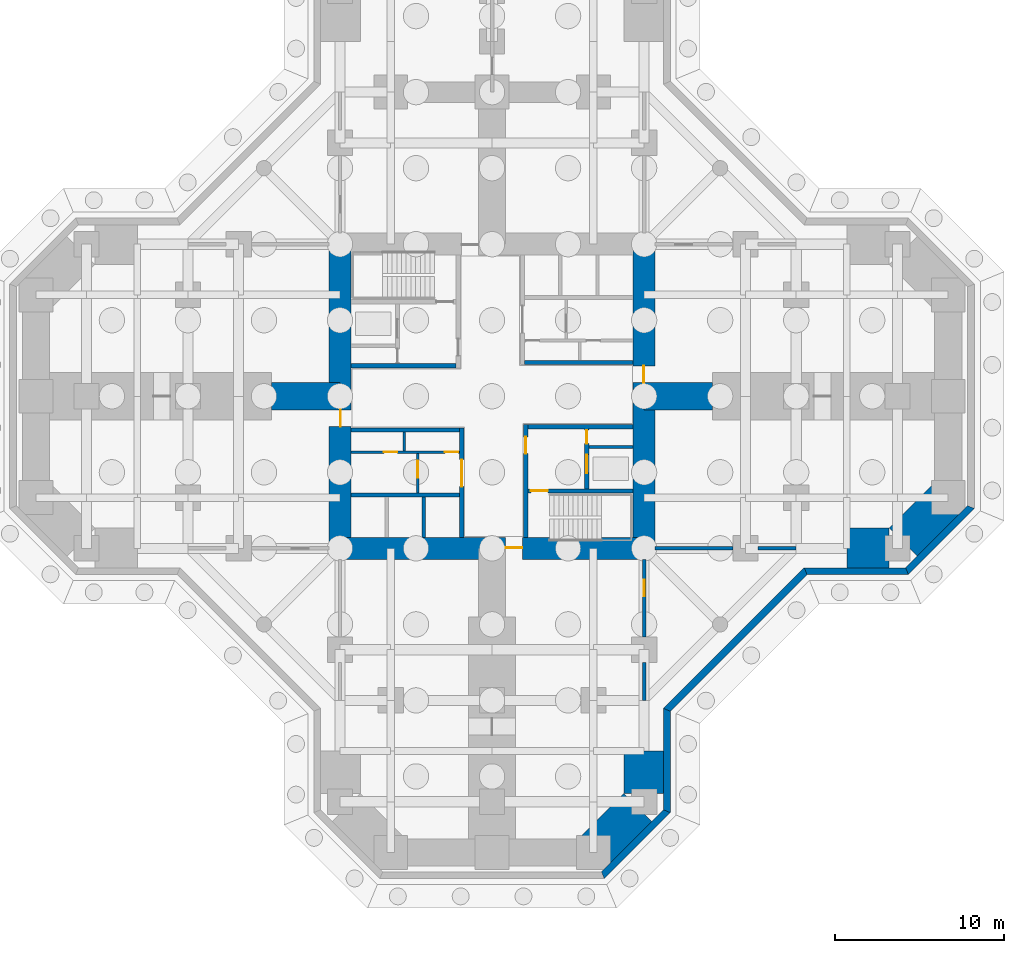
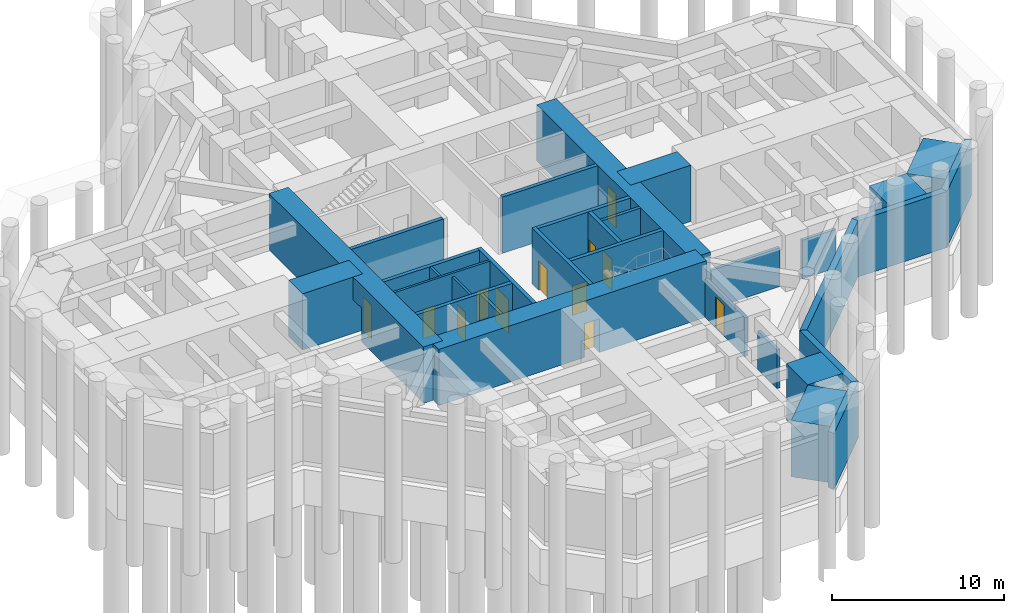
# One storey, part 4 of 8: 32 walls, 12 doors, 12 openings.
"""IFC4 building model written with IfcOpenShell, lengths in metres."""

from ifc_helpers import new_model, si_unit, direction, frame, frame_2d, origin, place, context, subcontext, project, spatial, polyline, rectangle, outline, extrude, material, layer, layer_set, constituent, constituent_set, type_object, element, fill, save


model = new_model("IFC4")

# Units and contexts
model_context = context("Model", 3, precision=1e-05, world=origin(), true_north=direction((0.0, 1.0)))
body_context = subcontext(model_context, "Body", "Model", "MODEL_VIEW")
ifc_project = project(units=[si_unit("LENGTHUNIT", "METRE"), si_unit("AREAUNIT", "SQUARE_METRE"), si_unit("VOLUMEUNIT", "CUBIC_METRE"), si_unit("PLANEANGLEUNIT", "RADIAN"), si_unit("MASSUNIT", "GRAM", prefix="KILO")], contexts=[model_context])

# Site, building, storey
site_placement = place(None, origin())
site = spatial("IfcSite", under=ifc_project, at=site_placement, CompositionType="ELEMENT")
building_placement = place(site_placement, origin())
building = spatial("IfcBuilding", under=site, at=building_placement, Name="Torre Cruceta", CompositionType="ELEMENT")
storey_placement = place(building_placement, frame((0.0, 0.0, -8.0)))
storey = spatial("IfcBuildingStorey", under=building, at=storey_placement, Name="B02", CompositionType="ELEMENT", Elevation=-8.0)

# Walls
ifc_material_1 = material(Name="Concrete G60 (fck 60 MPa)", Category="concrete")
ifc_layer_1 = layer(ifc_material_1, 2.39990234375)
ifc_layer_set_1 = layer_set([ifc_layer_1], Name="Concrete G60 (fck 60 MPa)")
wall_type_1 = type_object("IfcWallType", Name="BASEMENT ARM WALL 2400 G60", PredefinedType="SHEAR", material=ifc_layer_set_1)
wall_1_placement = place(storey_placement, frame((21.0, -9.0, 0.0), z_axis=(0.0, 0.0, 1.0), x_axis=(1.0, 0.0, 0.0)))
element("IfcWall", 1, at=wall_1_placement, inside=storey, type_object=wall_type_1, Name="BW1 basement arm wall B02 E R1", PredefinedType="SHEAR", context=body_context, shape_type="SweptSolid", body=[
    extrude(rectangle(XDim=2.5029296875, YDim=2.39990234375, at=frame_2d((1.25146484375, 0.0))), origin(), (0.0, 0.0, 1.0), 4.0),
])
wall_2_placement = place(storey_placement, frame((24.3515625, -8.6484375, 0.0), z_axis=(0.0, 0.0, 1.0), x_axis=(0.707106781187, 0.707106781187, 0.0)))
element("IfcWall", 2, at=wall_2_placement, inside=storey, type_object=wall_type_1, Name="BW1 basement arm wall B02 E R2", PredefinedType="SHEAR", context=body_context, shape_type="SweptSolid", body=[
    extrude(rectangle(XDim=3.745361328125, YDim=2.39990234375, at=frame_2d((1.87255859375, 0.0))), origin(), (0.0, 0.0, 1.0), 4.0),
])
wall_3_placement = place(storey_placement, frame((9.0, -21.0, 0.0), z_axis=(0.0, 0.0, 1.0), x_axis=(0.0, -1.0, 0.0)))
element("IfcWall", 3, at=wall_3_placement, inside=storey, type_object=wall_type_1, Name="BW1 basement arm wall B02 S L1", PredefinedType="SHEAR", context=body_context, shape_type="SweptSolid", body=[
    extrude(rectangle(XDim=2.5029296875, YDim=2.39990234375, at=frame_2d((1.25146484375, 0.0))), origin(), (0.0, 0.0, 1.0), 4.0),
])
wall_4_placement = place(storey_placement, frame((8.6484375, -24.3515625, 0.0), z_axis=(0.0, 0.0, 1.0), x_axis=(-0.707106781187, -0.707106781187, 0.0)))
element("IfcWall", 4, at=wall_4_placement, inside=storey, type_object=wall_type_1, Name="BW1 basement arm wall B02 S L2", PredefinedType="SHEAR", context=body_context, shape_type="SweptSolid", body=[
    extrude(rectangle(XDim=3.745361328125, YDim=2.39990234375, at=frame_2d((1.87255859375, 0.0))), origin(), (0.0, 0.0, 1.0), 4.0),
])
ifc_material_2 = material(Name="Concrete G45 (fck 45 MPa)", Category="concrete")
ifc_layer_2 = layer(ifc_material_2, 0.39990234375)
ifc_layer_set_2 = layer_set([ifc_layer_2], Name="Concrete G45 (fck 45 MPa)")
wall_type_2 = type_object("IfcWallType", Name="BASEMENT RETAINING WALL 400", PredefinedType="SOLIDWALL", material=ifc_layer_set_2)
wall_5_placement = place(storey_placement, origin())
element("IfcWall", 5, at=wall_5_placement, inside=storey, type_object=wall_type_2, Name="Retaining wall RW1 B02-01", PredefinedType="SOLIDWALL", context=body_context, shape_type="SweptSolid", body=[
    extrude(outline(polyline([(18.476318359375, -10.14990234375), (18.64208984375, -10.550048828125), (10.550048828125, -18.64208984375), (10.14990234375, -18.476318359375), (18.476318359375, -10.14990234375)])), origin(), (0.0, 0.0, 1.0), 4.0),
])
wall_6_placement = place(storey_placement, origin())
element("IfcWall", 6, at=wall_6_placement, inside=storey, type_object=wall_type_2, Name="Retaining wall RW1 B02-02", PredefinedType="SOLIDWALL", context=body_context, shape_type="SweptSolid", body=[
    extrude(outline(polyline([(10.14990234375, -18.476318359375), (10.550048828125, -18.64208984375), (10.550048828125, -24.64208984375), (10.14990234375, -24.476318359375), (10.14990234375, -18.476318359375)])), origin(), (0.0, 0.0, 1.0), 4.0),
])
wall_7_placement = place(storey_placement, origin())
element("IfcWall", 7, at=wall_7_placement, inside=storey, type_object=wall_type_2, Name="Retaining wall RW1 B02-03", PredefinedType="SOLIDWALL", context=body_context, shape_type="SweptSolid", body=[
    extrude(outline(polyline([(10.14990234375, -24.476318359375), (10.550048828125, -24.64208984375), (6.64208984375, -28.550048828125), (6.476318359375, -28.14990234375), (10.14990234375, -24.476318359375)])), origin(), (0.0, 0.0, 1.0), 4.0),
])
wall_8_placement = place(storey_placement, origin())
element("IfcWall", 8, at=wall_8_placement, inside=storey, type_object=wall_type_2, Name="Retaining wall RW1 B02-23", PredefinedType="SOLIDWALL", context=body_context, shape_type="SweptSolid", body=[
    extrude(outline(polyline([(28.14990234375, -6.476318359375), (28.550048828125, -6.64208984375), (24.64208984375, -10.550048828125), (24.476318359375, -10.14990234375), (28.14990234375, -6.476318359375)])), origin(), (0.0, 0.0, 1.0), 4.0),
])
wall_9_placement = place(storey_placement, origin())
element("IfcWall", 9, at=wall_9_placement, inside=storey, type_object=wall_type_2, Name="Retaining wall RW1 B02-24", PredefinedType="SOLIDWALL", context=body_context, shape_type="SweptSolid", body=[
    extrude(outline(polyline([(24.476318359375, -10.14990234375), (24.64208984375, -10.550048828125), (18.64208984375, -10.550048828125), (18.476318359375, -10.14990234375), (24.476318359375, -10.14990234375)])), origin(), (0.0, 0.0, 1.0), 4.0),
])
ifc_material_3 = material(Name="Concrete G60 (fck 60 MPa)", Category="concrete")
ifc_layer_3 = layer(ifc_material_3, 0.25)
ifc_layer_set_3 = layer_set([ifc_layer_3], Name="Concrete G60 (fck 60 MPa)")
wall_type_3 = type_object("IfcWallType", Name="CORE INNER WALL 250 G60", PredefinedType="SHEAR", material=ifc_layer_set_3)
wall_10_placement = place(storey_placement, frame((1.925048828125, 2.0, 0.0), z_axis=(0.0, 0.0, 1.0), x_axis=(1.0, 0.0, 0.0)))
element("IfcWall", 10, at=wall_10_placement, inside=storey, type_object=wall_type_3, Name="CW4 B02 NE-CV", PredefinedType="SHEAR", context=body_context, shape_type="SweptSolid", body=[
    extrude(rectangle(XDim=6.425048828125, YDim=0.25, at=frame_2d((3.21240234375, 0.0))), origin(), (0.0, 0.0, 1.0), 4.0),
])
wall_11_placement = place(storey_placement, frame((-2.125, 1.800048828125, 0.0), z_axis=(0.0, 0.0, 1.0), x_axis=(-1.0, 0.0, 0.0)))
element("IfcWall", 11, at=wall_11_placement, inside=storey, type_object=wall_type_3, Name="CW4 B02 NW-CV", PredefinedType="SHEAR", context=body_context, shape_type="SweptSolid", body=[
    extrude(rectangle(XDim=6.22509765625, YDim=0.25, at=frame_2d((3.112548828125, 0.0))), origin(), (0.0, 0.0, 1.0), 4.0),
])

# Wall, opening, door
wall_12_placement = place(storey_placement, frame((-1.800048828125, -1.875, 0.0), z_axis=(0.0, 0.0, 1.0), x_axis=(0.0, -1.0, 0.0)))
wall_12 = element("IfcWall", 12, at=wall_12_placement, inside=storey, type_object=wall_type_3, Name="CW4 B02 SW-CU", PredefinedType="SHEAR", context=body_context, shape_type="SweptSolid", body=[
    extrude(rectangle(XDim=6.47509765625, YDim=0.25, at=frame_2d((3.237548828125, 0.0))), origin(), (0.0, 0.0, 1.0), 4.0),
])
opening_1_placement = place(wall_12_placement, frame((1.875, 0.0, 0.0)))
opening_1 = element("IfcOpeningElement", 13, at=opening_1_placement, cuts=wall_12, Name="Opening D15", PredefinedType="OPENING", context=body_context, shape_type="SweptSolid", body=[
    extrude(rectangle(XDim=1.60009765625, YDim=2.39990234375, at=frame_2d((0.800048828125, 1.199951171875))), frame((0.0, 0.135009765625, 0.0), z_axis=(0.0, -1.0, 0.0), x_axis=(1.0, 0.0, 0.0)), (0.0, 0.0, 1.0), 0.27001953125),
])
ifc_material_4 = material(Name="Steel DX51D", Category="steel")
ifc_constituent_1 = constituent(ifc_material_4, Name="Leaf and frame")
ifc_material_5 = material(Name="Polyester powder coating", Category="paint")
ifc_constituent_2 = constituent(ifc_material_5, Name="Finish")
ifc_constituent_set_1 = constituent_set(constituents=[ifc_constituent_1, ifc_constituent_2], Name="Steel fire door")
door_type_1 = type_object("IfcDoorType", Name="CORE ROOM DOUBLE DOOR 1600X2400", OperationType="DOUBLE_DOOR_SINGLE_SWING", PredefinedType="DOOR", material=ifc_constituent_set_1)
door_1_placement = place(opening_1_placement, frame((1.60009765625, 0.0, 0.0), z_axis=(0.0, 0.0, 1.0), x_axis=(-1.0, 0.0, 0.0)))
door_1 = element("IfcDoor", 14, at=door_1_placement, inside=storey, type_object=door_type_1, Name="D15 B02 SW-LOBBY", OperationType="DOUBLE_DOOR_SINGLE_SWING", OverallHeight=2.39990234375, OverallWidth=1.60009765625, PredefinedType="DOOR", context=body_context, shape_type="SweptSolid", body=[
    extrude(rectangle(XDim=1.60009765625, YDim=2.39990234375, at=frame_2d((0.800048828125, 1.199951171875))), frame((0.0, 0.025146484375, 0.0), z_axis=(0.0, -1.0, 0.0), x_axis=(1.0, 0.0, 0.0)), (0.0, 0.0, 1.0), 0.050048828125),
])
fill(opening_1, door_1)

# Walls
for number, where, z_axis, x_axis, name in (
    (15, (-1.925048828125, -2.0, 0.0), (0.0, 0.0, 1.0), (-1.0, 0.0, 0.0), "CW4 B02 SW-CV"),
    (16, (-1.925048828125, -5.85009765625, 0.0), (0.0, 0.0, 1.0), (-1.0, 0.0, 0.0), "CW4 B02 SW-LV"),
):
    element("IfcWall", number, at=place(storey_placement, frame(where, z_axis=z_axis, x_axis=x_axis)), inside=storey, type_object=wall_type_3, Name=name, PredefinedType="SHEAR", context=body_context, shape_type="SweptSolid", body=[
        extrude(rectangle(XDim=6.425048828125, YDim=0.25, at=frame_2d((3.21240234375, 0.0))), origin(), (0.0, 0.0, 1.0), 4.0),
    ])

# Wall, opening, door
wall_13_placement = place(storey_placement, frame((2.0, -1.675048828125, 0.0), z_axis=(0.0, 0.0, 1.0), x_axis=(0.0, -1.0, 0.0)))
wall_13 = element("IfcWall", 17, at=wall_13_placement, inside=storey, type_object=wall_type_3, Name="CW4 B02 SE-CU", PredefinedType="SHEAR", context=body_context, shape_type="SweptSolid", body=[
    extrude(rectangle(XDim=6.675048828125, YDim=0.25, at=frame_2d((3.33740234375, 0.0))), origin(), (0.0, 0.0, 1.0), 4.0),
])
opening_2_placement = place(wall_13_placement, frame((0.72509765625, 0.0, 0.0)))
opening_2 = element("IfcOpeningElement", 18, at=opening_2_placement, cuts=wall_13, Name="Opening D3", PredefinedType="OPENING", context=body_context, shape_type="SweptSolid", body=[
    extrude(rectangle(XDim=1.0, YDim=2.10009765625, at=frame_2d((0.5, 1.050048828125))), frame((0.0, 0.135009765625, 0.0), z_axis=(0.0, -1.0, 0.0), x_axis=(1.0, 0.0, 0.0)), (0.0, 0.0, 1.0), 0.27001953125),
])
ifc_material_6 = material(Name="Steel DX51D", Category="steel")
ifc_constituent_3 = constituent(ifc_material_6, Name="Leaf and frame")
ifc_material_7 = material(Name="Polyester powder coating", Category="paint")
ifc_constituent_4 = constituent(ifc_material_7, Name="Finish")
ifc_constituent_set_2 = constituent_set(constituents=[ifc_constituent_3, ifc_constituent_4], Name="Steel fire door")
door_type_2 = type_object("IfcDoorType", Name="FIRE DOOR 1000X2100", OperationType="SINGLE_SWING_LEFT", PredefinedType="DOOR", material=ifc_constituent_set_2)
door_2_placement = place(opening_2_placement, origin())
door_2 = element("IfcDoor", 19, at=door_2_placement, inside=storey, type_object=door_type_2, Name="D3 B02 SE-LOBBY", OperationType="SINGLE_SWING_LEFT", OverallHeight=2.10009765625, OverallWidth=1.0, PredefinedType="DOOR", context=body_context, shape_type="SweptSolid", body=[
    extrude(rectangle(XDim=1.0, YDim=2.10009765625, at=frame_2d((0.5, 1.050048828125))), frame((0.0, 0.02490234375, 0.0), z_axis=(0.0, -1.0, 0.0), x_axis=(1.0, 0.0, 0.0)), (0.0, 0.0, 1.0), 0.050048828125),
])
fill(opening_2, door_2)

# Wall
wall_14_placement = place(storey_placement, frame((2.125, -1.800048828125, 0.0), z_axis=(0.0, 0.0, 1.0), x_axis=(1.0, 0.0, 0.0)))
element("IfcWall", 20, at=wall_14_placement, inside=storey, type_object=wall_type_3, Name="CW4 B02 SE-CV", PredefinedType="SHEAR", context=body_context, shape_type="SweptSolid", body=[
    extrude(rectangle(XDim=6.22509765625, YDim=0.25, at=frame_2d((3.112548828125, 0.0))), origin(), (0.0, 0.0, 1.0), 4.0),
])

# Wall, opening, door
wall_15_placement = place(storey_placement, frame((2.125, -5.60009765625, 0.0), z_axis=(0.0, 0.0, 1.0), x_axis=(1.0, 0.0, 0.0)))
wall_15 = element("IfcWall", 21, at=wall_15_placement, inside=storey, type_object=wall_type_3, Name="CW4 B02 SE-SV", PredefinedType="SHEAR", context=body_context, shape_type="SweptSolid", body=[
    extrude(rectangle(XDim=6.22509765625, YDim=0.25, at=frame_2d((3.112548828125, 0.0))), origin(), (0.0, 0.0, 1.0), 4.0),
])
opening_3_placement = place(wall_15_placement, frame((0.175048828125, 0.0, 0.0)))
opening_3 = element("IfcOpeningElement", 22, at=opening_3_placement, cuts=wall_15, Name="Opening D3", PredefinedType="OPENING", context=body_context, shape_type="SweptSolid", body=[
    extrude(rectangle(XDim=1.0, YDim=2.10009765625, at=frame_2d((0.5, 1.050048828125))), frame((0.0, 0.135009765625, 0.0), z_axis=(0.0, -1.0, 0.0), x_axis=(1.0, 0.0, 0.0)), (0.0, 0.0, 1.0), 0.27001953125),
])
door_3_placement = place(opening_3_placement, frame((1.0, 0.0, 0.0), z_axis=(0.0, 0.0, 1.0), x_axis=(-1.0, 0.0, 0.0)))
door_3 = element("IfcDoor", 23, at=door_3_placement, inside=storey, type_object=door_type_2, Name="D3 B02 SE-STAIR", OperationType="SINGLE_SWING_RIGHT", OverallHeight=2.10009765625, OverallWidth=1.0, PredefinedType="DOOR", context=body_context, shape_type="SweptSolid", body=[
    extrude(rectangle(XDim=1.0, YDim=2.10009765625, at=frame_2d((0.5, 1.050048828125))), frame((0.0, 0.025146484375, 0.0), z_axis=(0.0, -1.0, 0.0), x_axis=(1.0, 0.0, 0.0)), (0.0, 0.0, 1.0), 0.050048828125),
])
fill(opening_3, door_3)

# Wall, openings, doors
wall_16_placement = place(storey_placement, frame((5.60009765625, -1.925048828125, 0.0), z_axis=(0.0, 0.0, 1.0), x_axis=(0.0, -1.0, 0.0)))
wall_16 = element("IfcWall", 24, at=wall_16_placement, inside=storey, type_object=wall_type_3, Name="CW4 B02 SE-FU", PredefinedType="SHEAR", context=body_context, shape_type="SweptSolid", body=[
    extrude(rectangle(XDim=3.550048828125, YDim=0.25, at=frame_2d((1.77490234375, 0.0))), origin(), (0.0, 0.0, 1.0), 4.0),
])
opening_4_placement = place(wall_16_placement, frame((1.52490234375, 0.0, 0.0)))
opening_4 = element("IfcOpeningElement", 25, at=opening_4_placement, cuts=wall_16, Name="Opening LD1", PredefinedType="OPENING", context=body_context, shape_type="SweptSolid", body=[
    extrude(rectangle(XDim=1.10009765625, YDim=2.199951171875, at=frame_2d((0.550048828125, 1.10009765625))), frame((0.0, 0.135009765625, 0.0), z_axis=(0.0, -1.0, 0.0), x_axis=(1.0, 0.0, 0.0)), (0.0, 0.0, 1.0), 0.27001953125),
])
opening_5_placement = place(wall_16_placement, frame((0.074951171875, 0.0, 0.0)))
opening_5 = element("IfcOpeningElement", 26, at=opening_5_placement, cuts=wall_16, Name="Opening D5", PredefinedType="OPENING", context=body_context, shape_type="SweptSolid", body=[
    extrude(rectangle(XDim=0.800048828125, YDim=2.10009765625, at=frame_2d((0.39990234375, 1.050048828125))), frame((0.0, 0.135009765625, 0.0), z_axis=(0.0, -1.0, 0.0), x_axis=(1.0, 0.0, 0.0)), (0.0, 0.0, 1.0), 0.27001953125),
])
ifc_material_8 = material(Name="Stainless steel 1.4401", Category="steel")
door_type_3 = type_object("IfcDoorType", Name="LIFT LANDING DOOR 1100X2200", OperationType="DOUBLE_DOOR_SLIDING", PredefinedType="DOOR", material=ifc_material_8)
door_4_placement = place(opening_4_placement, origin())
door_4 = element("IfcDoor", 27, at=door_4_placement, inside=storey, type_object=door_type_3, Name="Lift landing door FL2", OperationType="DOUBLE_DOOR_SLIDING", OverallHeight=2.199951171875, OverallWidth=1.10009765625, PredefinedType="DOOR", context=body_context, shape_type="SweptSolid", body=[
    extrude(rectangle(XDim=1.10009765625, YDim=2.199951171875, at=frame_2d((0.550048828125, 1.10009765625))), frame((0.0, 0.02490234375, 0.0), z_axis=(0.0, -1.0, 0.0), x_axis=(1.0, 0.0, 0.0)), (0.0, 0.0, 1.0), 0.050048828125),
])
fill(opening_4, door_4)
ifc_material_9 = material(Name="Steel DX51D", Category="steel")
ifc_constituent_5 = constituent(ifc_material_9, Name="Leaf and frame")
ifc_material_10 = material(Name="Polyester powder coating", Category="paint")
ifc_constituent_6 = constituent(ifc_material_10, Name="Finish")
ifc_constituent_set_3 = constituent_set(constituents=[ifc_constituent_5, ifc_constituent_6], Name="Steel fire door")
door_type_4 = type_object("IfcDoorType", Name="RISER ACCESS DOOR 800X2100", OperationType="SINGLE_SWING_LEFT", PredefinedType="DOOR", material=ifc_constituent_set_3)
door_5_placement = place(opening_5_placement, origin())
door_5 = element("IfcDoor", 28, at=door_5_placement, inside=storey, type_object=door_type_4, Name="D5 B02 SE-RISER", OperationType="SINGLE_SWING_LEFT", OverallHeight=2.10009765625, OverallWidth=0.800048828125, PredefinedType="DOOR", context=body_context, shape_type="SweptSolid", body=[
    extrude(rectangle(XDim=0.800048828125, YDim=2.10009765625, at=frame_2d((0.39990234375, 1.050048828125))), frame((0.0, 0.02490234375, 0.0), z_axis=(0.0, -1.0, 0.0), x_axis=(1.0, 0.0, 0.0)), (0.0, 0.0, 1.0), 0.050048828125),
])
fill(opening_5, door_5)

# Wall, opening, door
ifc_material_11 = material(Name="Concrete G60 (fck 60 MPa)", Category="concrete")
ifc_layer_4 = layer(ifc_material_11, 1.300048828125)
ifc_layer_set_4 = layer_set([ifc_layer_4], Name="Concrete G60 (fck 60 MPa)")
wall_type_4 = type_object("IfcWallType", Name="CORE WALL 1300 G60", PredefinedType="SHEAR", material=ifc_layer_set_4)
wall_17_placement = place(storey_placement, frame((-9.0, -9.0, 0.0), z_axis=(0.0, 0.0, 1.0), x_axis=(1.0, 0.0, 0.0)))
wall_17 = element("IfcWall", 29, at=wall_17_placement, inside=storey, type_object=wall_type_4, Name="CW1 B02 CW-S", PredefinedType="SHEAR", context=body_context, shape_type="SweptSolid", body=[
    extrude(rectangle(XDim=18.0, YDim=1.300048828125, at=frame_2d((9.0, 0.0))), origin(), (0.0, 0.0, 1.0), 4.0),
])
opening_6_placement = place(wall_17_placement, frame((9.800048828125, 0.0, 0.0)))
opening_6 = element("IfcOpeningElement", 30, at=opening_6_placement, cuts=wall_17, Name="Opening D4", PredefinedType="OPENING", context=body_context, shape_type="SweptSolid", body=[
    extrude(rectangle(XDim=1.0, YDim=2.39990234375, at=frame_2d((0.5, 1.199951171875))), frame((0.0, 0.659912109375, 0.0), z_axis=(0.0, -1.0, 0.0), x_axis=(1.0, 0.0, 0.0)), (0.0, 0.0, 1.0), 1.320068359375),
])
ifc_material_12 = material(Name="Steel DX51D", Category="steel")
ifc_constituent_7 = constituent(ifc_material_12, Name="Leaf and frame")
ifc_material_13 = material(Name="Polyester powder coating", Category="paint")
ifc_constituent_8 = constituent(ifc_material_13, Name="Finish")
ifc_constituent_set_4 = constituent_set(constituents=[ifc_constituent_7, ifc_constituent_8], Name="Steel fire door")
door_type_5 = type_object("IfcDoorType", Name="CORE ARM DOOR 1000X2400", OperationType="SINGLE_SWING_RIGHT", PredefinedType="DOOR", material=ifc_constituent_set_4)
door_6_placement = place(opening_6_placement, frame((1.0, 0.0, 0.0), z_axis=(0.0, 0.0, 1.0), x_axis=(-1.0, 0.0, 0.0)))
door_6 = element("IfcDoor", 31, at=door_6_placement, inside=storey, type_object=door_type_5, Name="D4 B02 CW-S", OperationType="SINGLE_SWING_RIGHT", OverallHeight=2.39990234375, OverallWidth=1.0, PredefinedType="DOOR", context=body_context, shape_type="SweptSolid", body=[
    extrude(rectangle(XDim=1.0, YDim=2.39990234375, at=frame_2d((0.5, 1.199951171875))), frame((0.0, -0.005126953125, 0.0), z_axis=(0.0, -1.0, 0.0), x_axis=(1.0, 0.0, 0.0)), (0.0, 0.0, 1.0), 0.050048828125),
])
fill(opening_6, door_6)

wall_18_placement = place(storey_placement, frame((9.0, -9.0, 0.0), z_axis=(0.0, 0.0, 1.0), x_axis=(0.0, 1.0, 0.0)))
wall_18 = element("IfcWall", 32, at=wall_18_placement, inside=storey, type_object=wall_type_4, Name="CW1 B02 CW-E", PredefinedType="SHEAR", context=body_context, shape_type="SweptSolid", body=[
    extrude(rectangle(XDim=18.0, YDim=1.300048828125, at=frame_2d((9.0, 0.0))), origin(), (0.0, 0.0, 1.0), 4.0),
])
opening_7_placement = place(wall_18_placement, frame((9.800048828125, 0.0, 0.0)))
opening_7 = element("IfcOpeningElement", 33, at=opening_7_placement, cuts=wall_18, Name="Opening D4", PredefinedType="OPENING", context=body_context, shape_type="SweptSolid", body=[
    extrude(rectangle(XDim=1.0, YDim=2.39990234375, at=frame_2d((0.5, 1.199951171875))), frame((0.0, 0.659912109375, 0.0), z_axis=(0.0, -1.0, 0.0), x_axis=(1.0, 0.0, 0.0)), (0.0, 0.0, 1.0), 1.320068359375),
])
door_7_placement = place(opening_7_placement, frame((1.0, 0.0, 0.0), z_axis=(0.0, 0.0, 1.0), x_axis=(-1.0, 0.0, 0.0)))
door_7 = element("IfcDoor", 34, at=door_7_placement, inside=storey, type_object=door_type_5, Name="D4 B02 CW-E", OperationType="SINGLE_SWING_RIGHT", OverallHeight=2.39990234375, OverallWidth=1.0, PredefinedType="DOOR", context=body_context, shape_type="SweptSolid", body=[
    extrude(rectangle(XDim=1.0, YDim=2.39990234375, at=frame_2d((0.5, 1.199951171875))), frame((0.0, -0.005126953125, 0.0), z_axis=(0.0, -1.0, 0.0), x_axis=(1.0, 0.0, 0.0)), (0.0, 0.0, 1.0), 0.050048828125),
])
fill(opening_7, door_7)

wall_19_placement = place(storey_placement, frame((-9.0, 9.0, 0.0), z_axis=(0.0, 0.0, 1.0), x_axis=(0.0, -1.0, 0.0)))
wall_19 = element("IfcWall", 35, at=wall_19_placement, inside=storey, type_object=wall_type_4, Name="CW1 B02 CW-W", PredefinedType="SHEAR", context=body_context, shape_type="SweptSolid", body=[
    extrude(rectangle(XDim=18.0, YDim=1.300048828125, at=frame_2d((9.0, 0.0))), origin(), (0.0, 0.0, 1.0), 4.0),
])
opening_8_placement = place(wall_19_placement, frame((9.800048828125, 0.0, 0.0)))
opening_8 = element("IfcOpeningElement", 36, at=opening_8_placement, cuts=wall_19, Name="Opening D4", PredefinedType="OPENING", context=body_context, shape_type="SweptSolid", body=[
    extrude(rectangle(XDim=1.0, YDim=2.39990234375, at=frame_2d((0.5, 1.199951171875))), frame((0.0, 0.659912109375, 0.0), z_axis=(0.0, -1.0, 0.0), x_axis=(1.0, 0.0, 0.0)), (0.0, 0.0, 1.0), 1.320068359375),
])
door_8_placement = place(opening_8_placement, frame((1.0, 0.0, 0.0), z_axis=(0.0, 0.0, 1.0), x_axis=(-1.0, 0.0, 0.0)))
door_8 = element("IfcDoor", 37, at=door_8_placement, inside=storey, type_object=door_type_5, Name="D4 B02 CW-W", OperationType="SINGLE_SWING_RIGHT", OverallHeight=2.39990234375, OverallWidth=1.0, PredefinedType="DOOR", context=body_context, shape_type="SweptSolid", body=[
    extrude(rectangle(XDim=1.0, YDim=2.39990234375, at=frame_2d((0.5, 1.199951171875))), frame((0.0, -0.005126953125, 0.0), z_axis=(0.0, -1.0, 0.0), x_axis=(1.0, 0.0, 0.0)), (0.0, 0.0, 1.0), 0.050048828125),
])
fill(opening_8, door_8)

# Walls
ifc_material_14 = material(Name="Concrete G35 (fck 35 MPa)", Category="concrete")
ifc_layer_5 = layer(ifc_material_14, 0.199951171875)
ifc_layer_set_5 = layer_set([ifc_layer_5], Name="Concrete G35 (fck 35 MPa)")
wall_type_5 = type_object("IfcWallType", Name="LIFT SHAFT WALL 200", PredefinedType="PARTITIONING", material=ifc_layer_set_5)
wall_20_placement = place(storey_placement, frame((-4.033447265625, -5.97509765625, 0.0), z_axis=(0.0, 0.0, 1.0), x_axis=(0.0, -1.0, 0.0)))
element("IfcWall", 38, at=wall_20_placement, inside=storey, type_object=wall_type_5, Name="SW1 B02 SW-LS1", PredefinedType="PARTITIONING", context=body_context, shape_type="SweptSolid", body=[
    extrude(rectangle(XDim=2.375, YDim=0.199951171875, at=frame_2d((1.1875, 0.0))), origin(), (0.0, 0.0, 1.0), 4.0),
])
wall_21_placement = place(storey_placement, frame((5.72509765625, -3.0, 0.0), z_axis=(0.0, 0.0, 1.0), x_axis=(1.0, 0.0, 0.0)))
element("IfcWall", 39, at=wall_21_placement, inside=storey, type_object=wall_type_5, Name="SW1 B02 SE-FR", PredefinedType="PARTITIONING", context=body_context, shape_type="SweptSolid", body=[
    extrude(rectangle(XDim=2.625, YDim=0.199951171875, at=frame_2d((1.3125, 0.0))), origin(), (0.0, 0.0, 1.0), 4.0),
])

# Wall, opening, door
ifc_material_15 = material(Name="Plasterboard on steel studs", Category="steel")
ifc_layer_6 = layer(ifc_material_15, 0.14990234375)
ifc_layer_set_6 = layer_set([ifc_layer_6], Name="Plasterboard on steel studs")
wall_type_6 = type_object("IfcWallType", Name="PARTITION 150", PredefinedType="PARTITIONING", material=ifc_layer_set_6)
wall_22_placement = place(storey_placement, frame((-4.39990234375, -3.375, 0.0), z_axis=(0.0, 0.0, 1.0), x_axis=(0.0, -1.0, 0.0)))
wall_22 = element("IfcWall", 40, at=wall_22_placement, inside=storey, type_object=wall_type_6, Name="PT1 B02-CORE-SW-X", PredefinedType="PARTITIONING", context=body_context, shape_type="SweptSolid", body=[
    extrude(rectangle(XDim=2.35009765625, YDim=0.14990234375, at=frame_2d((1.175048828125, 0.0))), origin(), (0.0, 0.0, 1.0), 3.75),
])
opening_9_placement = place(wall_22_placement, frame((0.449951171875, 0.0, 0.0)))
opening_9 = element("IfcOpeningElement", 41, at=opening_9_placement, cuts=wall_22, Name="Opening D3", PredefinedType="OPENING", context=body_context, shape_type="SweptSolid", body=[
    extrude(rectangle(XDim=1.0, YDim=2.10009765625, at=frame_2d((0.5, 1.050048828125))), frame((0.0, 0.0849609375, 0.0), z_axis=(0.0, -1.0, 0.0), x_axis=(1.0, 0.0, 0.0)), (0.0, 0.0, 1.0), 0.169921875),
])
door_9_placement = place(opening_9_placement, origin())
door_9 = element("IfcDoor", 42, at=door_9_placement, inside=storey, type_object=door_type_2, Name="D3 B02-CORE-SW-X-D1", OperationType="SINGLE_SWING_LEFT", OverallHeight=2.10009765625, OverallWidth=1.0, PredefinedType="DOOR", context=body_context, shape_type="SweptSolid", body=[
    extrude(rectangle(XDim=1.0, YDim=2.10009765625, at=frame_2d((0.5, 1.050048828125))), frame((0.0, 0.02490234375, 0.0), z_axis=(0.0, -1.0, 0.0), x_axis=(1.0, 0.0, 0.0)), (0.0, 0.0, 1.0), 0.050048828125),
])
fill(opening_9, door_9)

# Wall, openings, doors
ifc_material_16 = material(Name="Concrete block masonry", Category="masonry")
ifc_layer_7 = layer(ifc_material_16, 0.14990234375)
ifc_layer_set_7 = layer_set([ifc_layer_7], Name="Concrete block masonry")
wall_type_7 = type_object("IfcWallType", Name="RISER WALL 150", PredefinedType="PARTITIONING", material=ifc_layer_set_7)
wall_23_placement = place(storey_placement, frame((-1.925048828125, -3.300048828125, 0.0), z_axis=(0.0, 0.0, 1.0), x_axis=(-1.0, 0.0, 0.0)))
wall_23 = element("IfcWall", 43, at=wall_23_placement, inside=storey, type_object=wall_type_7, Name="SW7 B02 SW-RV", PredefinedType="PARTITIONING", context=body_context, shape_type="SweptSolid", body=[
    extrude(rectangle(XDim=6.425048828125, YDim=0.14990234375, at=frame_2d((3.21240234375, 0.0))), origin(), (0.0, 0.0, 1.0), 4.0),
])
opening_10_placement = place(wall_23_placement, frame((0.074951171875, 0.0, 0.0)))
opening_10 = element("IfcOpeningElement", 44, at=opening_10_placement, cuts=wall_23, Name="Opening D5", PredefinedType="OPENING", context=body_context, shape_type="SweptSolid", body=[
    extrude(rectangle(XDim=0.800048828125, YDim=2.10009765625, at=frame_2d((0.39990234375, 1.050048828125))), frame((0.0, 0.0849609375, 0.0), z_axis=(0.0, -1.0, 0.0), x_axis=(1.0, 0.0, 0.0)), (0.0, 0.0, 1.0), 0.169921875),
])
opening_11_placement = place(wall_23_placement, frame((3.675048828125, 0.0, 0.0)))
opening_11 = element("IfcOpeningElement", 45, at=opening_11_placement, cuts=wall_23, Name="Opening D5", PredefinedType="OPENING", context=body_context, shape_type="SweptSolid", body=[
    extrude(rectangle(XDim=0.800048828125, YDim=2.10009765625, at=frame_2d((0.39990234375, 1.050048828125))), frame((0.0, 0.0849609375, 0.0), z_axis=(0.0, -1.0, 0.0), x_axis=(1.0, 0.0, 0.0)), (0.0, 0.0, 1.0), 0.169921875),
])
door_10_placement = place(opening_10_placement, frame((0.800048828125, 0.0, 0.0), z_axis=(0.0, 0.0, 1.0), x_axis=(-1.0, 0.0, 0.0)))
door_10 = element("IfcDoor", 46, at=door_10_placement, inside=storey, type_object=door_type_4, Name="D5 B02 SW-RISER1", OperationType="SINGLE_SWING_RIGHT", OverallHeight=2.10009765625, OverallWidth=0.800048828125, PredefinedType="DOOR", context=body_context, shape_type="SweptSolid", body=[
    extrude(rectangle(XDim=0.800048828125, YDim=2.10009765625, at=frame_2d((0.400146484375, 1.050048828125))), frame((0.0, 0.025146484375, 0.0), z_axis=(0.0, -1.0, 0.0), x_axis=(1.0, 0.0, 0.0)), (0.0, 0.0, 1.0), 0.050048828125),
])
fill(opening_10, door_10)
door_11_placement = place(opening_11_placement, frame((0.800048828125, 0.0, 0.0), z_axis=(0.0, 0.0, 1.0), x_axis=(-1.0, 0.0, 0.0)))
door_11 = element("IfcDoor", 47, at=door_11_placement, inside=storey, type_object=door_type_4, Name="D5 B02 SW-RISER2", OperationType="SINGLE_SWING_RIGHT", OverallHeight=2.10009765625, OverallWidth=0.800048828125, PredefinedType="DOOR", context=body_context, shape_type="SweptSolid", body=[
    extrude(rectangle(XDim=0.800048828125, YDim=2.10009765625, at=frame_2d((0.400146484375, 1.050048828125))), frame((0.0, 0.025146484375, 0.0), z_axis=(0.0, -1.0, 0.0), x_axis=(1.0, 0.0, 0.0)), (0.0, 0.0, 1.0), 0.050048828125),
])
fill(opening_11, door_11)

# Walls
wall_24_placement = place(storey_placement, frame((-5.199951171875, -2.125, 0.0), z_axis=(0.0, 0.0, 1.0), x_axis=(0.0, -1.0, 0.0)))
element("IfcWall", 48, at=wall_24_placement, inside=storey, type_object=wall_type_7, Name="SW7 B02 SW-RU", PredefinedType="PARTITIONING", context=body_context, shape_type="SweptSolid", body=[
    extrude(rectangle(XDim=1.10009765625, YDim=0.14990234375, at=frame_2d((0.550048828125, 0.0))), origin(), (0.0, 0.0, 1.0), 4.0),
])
ifc_material_17 = material(Name="Concrete G60 (fck 60 MPa)", Category="concrete")
ifc_layer_8 = layer(ifc_material_17, 1.60009765625)
ifc_layer_set_8 = layer_set([ifc_layer_8], Name="Concrete G60 (fck 60 MPa)")
wall_type_8 = type_object("IfcWallType", Name="SPINE WALL 1600 G60", PredefinedType="SHEAR", material=ifc_layer_set_8)
for number, where, z_axis, x_axis, name in (
    (49, (9.0, 0.0, 0.0), (0.0, 0.0, 1.0), (1.0, 0.0, 0.0), "SW2 spine wall root B02 E"),
    (50, (-9.0, 0.0, 0.0), (0.0, 0.0, 1.0), (-1.0, 0.0, 0.0), "SW2 spine wall root B02 W"),
):
    element("IfcWall", number, at=place(storey_placement, frame(where, z_axis=z_axis, x_axis=x_axis)), inside=storey, type_object=wall_type_8, Name=name, PredefinedType="SHEAR", context=body_context, shape_type="SweptSolid", body=[
        extrude(rectangle(XDim=4.050048828125, YDim=1.60009765625, at=frame_2d((2.02490234375, 0.0))), origin(), (0.0, 0.0, 1.0), 4.0),
    ])

# Wall, opening, door
ifc_material_18 = material(Name="Concrete G25 (fck 25 MPa)", Category="concrete")
ifc_layer_9 = layer(ifc_material_18, 0.199951171875)
ifc_layer_set_9 = layer_set([ifc_layer_9], Name="Concrete G25 (fck 25 MPa)")
wall_type_9 = type_object("IfcWallType", Name="WING SEPARATING WALL 200", PredefinedType="SOLIDWALL", material=ifc_layer_set_9)
wall_25_placement = place(storey_placement, frame((9.0, -9.64990234375, 0.0), z_axis=(0.0, 0.0, 1.0), x_axis=(0.0, -1.0, 0.0)))
wall_25 = element("IfcWall", 51, at=wall_25_placement, inside=storey, type_object=wall_type_9, Name="PT6 B02-WING-S-A1", PredefinedType="SOLIDWALL", context=body_context, shape_type="SweptSolid", body=[
    extrude(rectangle(XDim=4.60009765625, YDim=0.199951171875, at=frame_2d((2.300048828125, 0.0))), origin(), (0.0, 0.0, 1.0), 2.75),
])
opening_12_placement = place(wall_25_placement, frame((1.199951171875, 0.0, 0.0)))
opening_12 = element("IfcOpeningElement", 52, at=opening_12_placement, cuts=wall_25, Name="Opening D14", PredefinedType="OPENING", context=body_context, shape_type="SweptSolid", body=[
    extrude(rectangle(XDim=1.0, YDim=2.199951171875, at=frame_2d((0.5, 1.10009765625))), frame((0.0, 0.10986328125, 0.0), z_axis=(0.0, -1.0, 0.0), x_axis=(1.0, 0.0, 0.0)), (0.0, 0.0, 1.0), 0.219970703125),
])
ifc_material_19 = material(Name="Steel DX51D", Category="steel")
ifc_constituent_9 = constituent(ifc_material_19, Name="Leaf and frame")
ifc_material_20 = material(Name="Polyester powder coating", Category="paint")
ifc_constituent_10 = constituent(ifc_material_20, Name="Finish")
ifc_material_21 = material(Name="Fire-resisting glass", Category="glass")
ifc_constituent_11 = constituent(ifc_material_21, Name="Vision panel")
ifc_constituent_set_5 = constituent_set(constituents=[ifc_constituent_9, ifc_constituent_10, ifc_constituent_11], Name="Steel fire door with vision panel")
door_type_6 = type_object("IfcDoorType", Name="FIRE DOOR VISION PANEL 1000X2200", OperationType="SINGLE_SWING_RIGHT", PredefinedType="DOOR", material=ifc_constituent_set_5)
door_12_placement = place(opening_12_placement, origin())
door_12 = element("IfcDoor", 53, at=door_12_placement, inside=storey, type_object=door_type_6, Name="D14 B02-WING-S-A1-D1", OperationType="SINGLE_SWING_LEFT", OverallHeight=2.199951171875, OverallWidth=1.0, PredefinedType="DOOR", context=body_context, shape_type="SweptSolid", body=[
    extrude(rectangle(XDim=1.0, YDim=2.199951171875, at=frame_2d((0.5, 1.10009765625))), frame((0.0, 0.02490234375, 0.0), z_axis=(0.0, -1.0, 0.0), x_axis=(1.0, 0.0, 0.0)), (0.0, 0.0, 1.0), 0.050048828125),
])
fill(opening_12, door_12)

# Walls
wall_26_placement = place(storey_placement, frame((9.0, -15.75, 0.0), z_axis=(0.0, 0.0, 1.0), x_axis=(0.0, -1.0, 0.0)))
element("IfcWall", 54, at=wall_26_placement, inside=storey, type_object=wall_type_9, Name="PT6 B02-WING-S-A2", PredefinedType="SOLIDWALL", context=body_context, shape_type="SweptSolid", body=[
    extrude(rectangle(XDim=2.25, YDim=0.199951171875, at=frame_2d((1.125, 0.0))), origin(), (0.0, 0.0, 1.0), 2.75),
])
wall_27_placement = place(storey_placement, frame((14.25, -9.0, 0.0), z_axis=(0.0, 0.0, 1.0), x_axis=(-1.0, 0.0, 0.0)))
element("IfcWall", 55, at=wall_27_placement, inside=storey, type_object=wall_type_9, Name="PT6 B02-WING-S-B1", PredefinedType="SOLIDWALL", context=body_context, shape_type="SweptSolid", body=[
    extrude(rectangle(XDim=4.60009765625, YDim=0.199951171875, at=frame_2d((2.300048828125, 0.0))), origin(), (0.0, 0.0, 1.0), 2.75),
])
wall_28_placement = place(storey_placement, frame((18.0, -9.0, 0.0), z_axis=(0.0, 0.0, 1.0), x_axis=(-1.0, 0.0, 0.0)))
element("IfcWall", 56, at=wall_28_placement, inside=storey, type_object=wall_type_9, Name="PT6 B02-WING-S-B2", PredefinedType="SOLIDWALL", context=body_context, shape_type="SweptSolid", body=[
    extrude(rectangle(XDim=2.25, YDim=0.199951171875, at=frame_2d((1.125, 0.0))), origin(), (0.0, 0.0, 1.0), 2.75),
])

save(model, "model.ifc")
